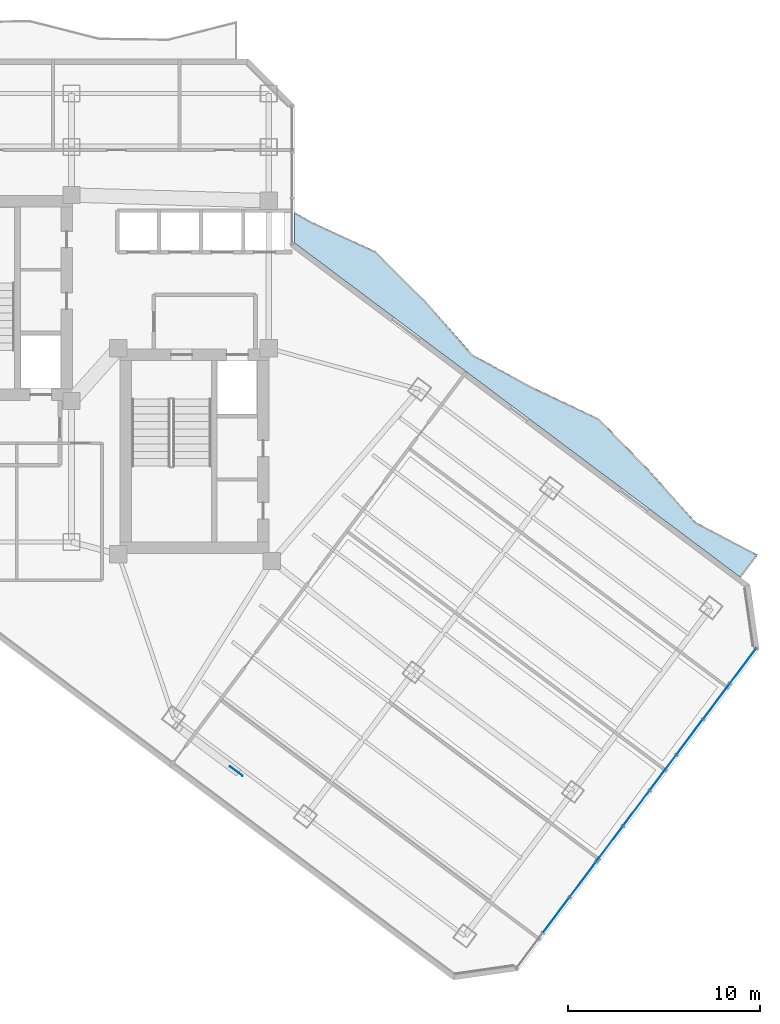
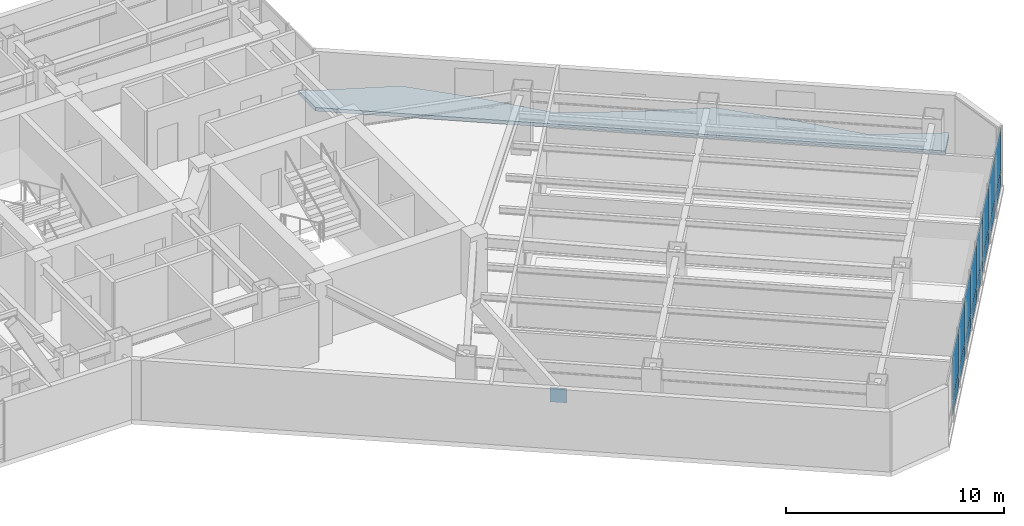
# One storey, part 22 of 31: 17 plates, 1 slab, 1 element without a shape of its own.
"""IFC4 building model written with IfcOpenShell, lengths in metres."""

from ifc_helpers import new_model, si_unit, direction, frame, origin, origin_2d, place, context, subcontext, project, spatial, polyline, rectangle, outline, extrude, material, layer, layer_set, type_object, element, aggregate, save


model = new_model("IFC4")

# Units and contexts
model_context = context("Model", 3, precision=1e-05, world=origin(), true_north=direction((0.0, 1.0)))
body_context = subcontext(model_context, "Body", "Model", "MODEL_VIEW")
ifc_project = project(units=[si_unit("LENGTHUNIT", "METRE"), si_unit("AREAUNIT", "SQUARE_METRE"), si_unit("VOLUMEUNIT", "CUBIC_METRE"), si_unit("PLANEANGLEUNIT", "RADIAN"), si_unit("MASSUNIT", "GRAM", prefix="KILO")], contexts=[model_context])

# Site, building, storey
site_placement = place(None, origin())
site = spatial("IfcSite", under=ifc_project, at=site_placement, CompositionType="ELEMENT")
building_placement = place(site_placement, origin())
building = spatial("IfcBuilding", under=site, at=building_placement, Name="Hatsunagi Terrace Concourse", CompositionType="ELEMENT")
storey_placement = place(building_placement, frame((0.0, 0.0, 122.85009765625)))
storey = spatial("IfcBuildingStorey", under=building, at=storey_placement, Name="L32", CompositionType="ELEMENT", Elevation=122.85009765625)

# Curtain wall, plates
ifc_material_1 = material(Name="Anodised Aluminium Alloy 6063-T5", Category="aluminium")
ifc_layer_1 = layer(ifc_material_1, 0.199951171875)
ifc_layer_set_1 = layer_set([ifc_layer_1], Name="OfficeZone1_CW03")
curtain_wall_type = type_object("IfcCurtainWallType", Name="OfficeZone1_CW03", PredefinedType="NOTDEFINED", material=ifc_layer_set_1)
curtain_wall_placement = place(storey_placement, origin())
curtain_wall = element("IfcCurtainWall", 1, at=curtain_wall_placement, inside=storey, type_object=curtain_wall_type, Name="Unitised Curtain Wall CW-03 CW-L32-03", PredefinedType="NOTDEFINED")
ifc_material_2 = material(Name="Warm Terracotta Ceramic Spandrel Panel", Category="masonry")
ifc_layer_2 = layer(ifc_material_2, 0.031982421875)
ifc_layer_set_2 = layer_set([ifc_layer_2], Name="CurtainWallSpandrelPanel_32")
plate_type_1 = type_object("IfcPlateType", Name="CurtainWallSpandrelPanel_32", PredefinedType="SHEET", material=ifc_layer_set_2)
plate_1_placement = place(storey_placement, frame((68.39697265625, 18.72998046875, 0.02978515625), z_axis=(0.0, 0.0, 1.0), x_axis=(-0.599969314634, -0.800023013105, 0.0)))
plate_1 = element("IfcPlate", 2, at=plate_1_placement, type_object=plate_type_1, Name="Terracotta Spandrel Panel SPN-01", PredefinedType="SHEET", context=body_context, shape_type="SweptSolid", body=[
    extrude(rectangle(XDim=2.264892578125, YDim=0.031982421875, at=origin_2d()), origin(), (0.0, 0.0, 1.0), 0.7900390625),
])
plate_2_placement = place(storey_placement, frame((67.0048828125, 16.873046875, 0.02978515625), z_axis=(0.0, 0.0, 1.0), x_axis=(-0.599969314634, -0.800023013105, 0.0)))
plate_2 = element("IfcPlate", 3, at=plate_2_placement, type_object=plate_type_1, Name="Terracotta Spandrel Panel SPN-01", PredefinedType="SHEET", context=body_context, shape_type="SweptSolid", body=[
    extrude(rectangle(XDim=2.264892578125, YDim=0.031982421875, at=origin_2d()), origin(), (0.0, 0.0, 1.0), 0.7900390625),
])
plate_3_placement = place(storey_placement, frame((65.612060546875, 15.01708984375, 0.02978515625), z_axis=(0.0, 0.0, 1.0), x_axis=(-0.599969314634, -0.800023013105, 0.0)))
plate_3 = element("IfcPlate", 4, at=plate_3_placement, type_object=plate_type_1, Name="Terracotta Spandrel Panel SPN-01", PredefinedType="SHEET", context=body_context, shape_type="SweptSolid", body=[
    extrude(rectangle(XDim=2.264892578125, YDim=0.031982421875, at=origin_2d()), origin(), (0.0, 0.0, 1.0), 0.7900390625),
])
plate_4_placement = place(storey_placement, frame((64.219970703125, 13.159912109375, 0.02978515625), z_axis=(0.0, 0.0, 1.0), x_axis=(-0.599969314634, -0.800023013105, 0.0)))
plate_4 = element("IfcPlate", 5, at=plate_4_placement, type_object=plate_type_1, Name="Terracotta Spandrel Panel SPN-01", PredefinedType="SHEET", context=body_context, shape_type="SweptSolid", body=[
    extrude(rectangle(XDim=2.264892578125, YDim=0.031982421875, at=origin_2d()), origin(), (0.0, 0.0, 1.0), 0.7900390625),
])
plate_5_placement = place(storey_placement, frame((62.827880859375, 11.303955078125, 0.02978515625), z_axis=(0.0, 0.0, 1.0), x_axis=(-0.599969314634, -0.800023013105, 0.0)))
plate_5 = element("IfcPlate", 6, at=plate_5_placement, type_object=plate_type_1, Name="Terracotta Spandrel Panel SPN-01", PredefinedType="SHEET", context=body_context, shape_type="SweptSolid", body=[
    extrude(rectangle(XDim=2.264892578125, YDim=0.031982421875, at=origin_2d()), origin(), (0.0, 0.0, 1.0), 0.7900390625),
])
plate_6_placement = place(storey_placement, frame((61.43603515625, 9.447998046875, 0.02978515625), z_axis=(0.0, 0.0, 1.0), x_axis=(-0.599969314634, -0.800023013105, 0.0)))
plate_6 = element("IfcPlate", 7, at=plate_6_placement, type_object=plate_type_1, Name="Terracotta Spandrel Panel SPN-01", PredefinedType="SHEET", context=body_context, shape_type="SweptSolid", body=[
    extrude(rectangle(XDim=2.264892578125, YDim=0.031982421875, at=origin_2d()), origin(), (0.0, 0.0, 1.0), 0.7900390625),
])
plate_7_placement = place(storey_placement, frame((60.0439453125, 7.591064453125, 0.02978515625), z_axis=(0.0, 0.0, 1.0), x_axis=(-0.599969314634, -0.800023013105, 0.0)))
plate_7 = element("IfcPlate", 8, at=plate_7_placement, type_object=plate_type_1, Name="Terracotta Spandrel Panel SPN-01", PredefinedType="SHEET", context=body_context, shape_type="SweptSolid", body=[
    extrude(rectangle(XDim=2.264892578125, YDim=0.031982421875, at=origin_2d()), origin(), (0.0, 0.0, 1.0), 0.7900390625),
])
plate_8_placement = place(storey_placement, frame((58.65087890625, 5.735107421875, 0.02978515625), z_axis=(0.0, 0.0, 1.0), x_axis=(-0.599969314634, -0.800023013105, 0.0)))
plate_8 = element("IfcPlate", 9, at=plate_8_placement, type_object=plate_type_1, Name="Terracotta Spandrel Panel SPN-01", PredefinedType="SHEET", context=body_context, shape_type="SweptSolid", body=[
    extrude(rectangle(XDim=2.264892578125, YDim=0.031982421875, at=origin_2d()), origin(), (0.0, 0.0, 1.0), 0.7900390625),
])
ifc_material_3 = material(Name="Low-E Double Insulating Glass 28mm", Category="glass")
ifc_layer_3 = layer(ifc_material_3, 0.028076171875)
ifc_layer_set_3 = layer_set([ifc_layer_3], Name="CurtainWallVisionGlass_28")
plate_type_2 = type_object("IfcPlateType", Name="CurtainWallVisionGlass_28", PredefinedType="CURTAIN_PANEL", material=ifc_layer_set_3)
plate_9_placement = place(storey_placement, frame((68.39697265625, 18.72998046875, 0.8798828125), z_axis=(0.0, 0.0, 1.0), x_axis=(-0.599969314634, -0.800023013105, 0.0)))
plate_9 = element("IfcPlate", 10, at=plate_9_placement, type_object=plate_type_2, Name="Low-E Vision Glass Panel GLZ-01", PredefinedType="CURTAIN_PANEL", context=body_context, shape_type="SweptSolid", body=[
    extrude(rectangle(XDim=2.264892578125, YDim=0.028076171875, at=origin_2d()), origin(), (0.0, 0.0, 1.0), 2.43994140625),
])
plate_10_placement = place(storey_placement, frame((67.0048828125, 16.873046875, 0.8798828125), z_axis=(0.0, 0.0, 1.0), x_axis=(-0.599969314634, -0.800023013105, 0.0)))
plate_10 = element("IfcPlate", 11, at=plate_10_placement, type_object=plate_type_2, Name="Low-E Vision Glass Panel GLZ-01", PredefinedType="CURTAIN_PANEL", context=body_context, shape_type="SweptSolid", body=[
    extrude(rectangle(XDim=2.264892578125, YDim=0.028076171875, at=origin_2d()), origin(), (0.0, 0.0, 1.0), 2.43994140625),
])
plate_11_placement = place(storey_placement, frame((65.612060546875, 15.01708984375, 0.8798828125), z_axis=(0.0, 0.0, 1.0), x_axis=(-0.599969314634, -0.800023013105, 0.0)))
plate_11 = element("IfcPlate", 12, at=plate_11_placement, type_object=plate_type_2, Name="Low-E Vision Glass Panel GLZ-01", PredefinedType="CURTAIN_PANEL", context=body_context, shape_type="SweptSolid", body=[
    extrude(rectangle(XDim=2.264892578125, YDim=0.028076171875, at=origin_2d()), origin(), (0.0, 0.0, 1.0), 2.43994140625),
])
plate_12_placement = place(storey_placement, frame((64.219970703125, 13.159912109375, 0.8798828125), z_axis=(0.0, 0.0, 1.0), x_axis=(-0.599969314634, -0.800023013105, 0.0)))
plate_12 = element("IfcPlate", 13, at=plate_12_placement, type_object=plate_type_2, Name="Low-E Vision Glass Panel GLZ-01", PredefinedType="CURTAIN_PANEL", context=body_context, shape_type="SweptSolid", body=[
    extrude(rectangle(XDim=2.264892578125, YDim=0.028076171875, at=origin_2d()), origin(), (0.0, 0.0, 1.0), 2.43994140625),
])
plate_13_placement = place(storey_placement, frame((62.827880859375, 11.303955078125, 0.8798828125), z_axis=(0.0, 0.0, 1.0), x_axis=(-0.599969314634, -0.800023013105, 0.0)))
plate_13 = element("IfcPlate", 14, at=plate_13_placement, type_object=plate_type_2, Name="Low-E Vision Glass Panel GLZ-01", PredefinedType="CURTAIN_PANEL", context=body_context, shape_type="SweptSolid", body=[
    extrude(rectangle(XDim=2.264892578125, YDim=0.028076171875, at=origin_2d()), origin(), (0.0, 0.0, 1.0), 2.43994140625),
])
plate_14_placement = place(storey_placement, frame((61.43603515625, 9.447998046875, 0.8798828125), z_axis=(0.0, 0.0, 1.0), x_axis=(-0.599969314634, -0.800023013105, 0.0)))
plate_14 = element("IfcPlate", 15, at=plate_14_placement, type_object=plate_type_2, Name="Low-E Vision Glass Panel GLZ-01", PredefinedType="CURTAIN_PANEL", context=body_context, shape_type="SweptSolid", body=[
    extrude(rectangle(XDim=2.264892578125, YDim=0.028076171875, at=origin_2d()), origin(), (0.0, 0.0, 1.0), 2.43994140625),
])
plate_15_placement = place(storey_placement, frame((60.0439453125, 7.591064453125, 0.8798828125), z_axis=(0.0, 0.0, 1.0), x_axis=(-0.599969314634, -0.800023013105, 0.0)))
plate_15 = element("IfcPlate", 16, at=plate_15_placement, type_object=plate_type_2, Name="Low-E Vision Glass Panel GLZ-01", PredefinedType="CURTAIN_PANEL", context=body_context, shape_type="SweptSolid", body=[
    extrude(rectangle(XDim=2.264892578125, YDim=0.028076171875, at=origin_2d()), origin(), (0.0, 0.0, 1.0), 2.43994140625),
])
plate_16_placement = place(storey_placement, frame((58.65087890625, 5.735107421875, 0.8798828125), z_axis=(0.0, 0.0, 1.0), x_axis=(-0.599969314634, -0.800023013105, 0.0)))
plate_16 = element("IfcPlate", 17, at=plate_16_placement, type_object=plate_type_2, Name="Low-E Vision Glass Panel GLZ-01", PredefinedType="CURTAIN_PANEL", context=body_context, shape_type="SweptSolid", body=[
    extrude(rectangle(XDim=2.264892578125, YDim=0.028076171875, at=origin_2d()), origin(), (0.0, 0.0, 1.0), 2.43994140625),
])
aggregate(curtain_wall, [plate_1, plate_9, plate_2, plate_10, plate_3, plate_11, plate_4, plate_12, plate_5, plate_13, plate_6, plate_14, plate_7, plate_15, plate_8, plate_16])

# Slab
ifc_material_4 = material(Name="Concrete Fc42", Category="concrete")
ifc_layer_4 = layer(ifc_material_4, 0.199951171875)
ifc_layer_set_4 = layer_set([ifc_layer_4], Name="EngawaBalconySlab_Fc42_200")
slab_type = type_object("IfcSlabType", Name="EngawaBalconySlab_Fc42_200", PredefinedType="FLOOR", material=ifc_layer_set_4)
slab_placement = place(storey_placement, frame((0.0, 0.0, -0.2001953125)))
element("IfcSlab", 18, at=slab_placement, inside=storey, type_object=slab_type, Name="Engawa Balcony Slab BAL-L32-BSE", PredefinedType="FLOOR", context=body_context, shape_type="SweptSolid", body=[
    extrude(outline(polyline([(45.8740234375, 41.909912109375), (44.99609375, 42.39892578125), (44.99609375, 40.802978515625), (68.280029296875, 23.340087890625), (69.173095703125, 24.530029296875), (65.916015625, 26.242919921875), (63.445068359375, 29.0048828125), (60.8759765625, 31.635009765625), (57.52294921875, 33.219970703125), (54.2919921875, 34.967041015625), (51.841064453125, 37.7548828125), (49.24609375, 40.35009765625), (45.8740234375, 41.909912109375)])), origin(), (0.0, 0.0, 1.0), 0.2001953125),
])

# Plate
ifc_material_5 = material(Name="Steel SN490C", Category="steel")
ifc_layer_5 = layer(ifc_material_5, 0.031982421875)
ifc_layer_set_5 = layer_set([ifc_layer_5], Name="XBraceNodeCapPlate_32")
plate_type_3 = type_object("IfcPlateType", Name="XBraceNodeCapPlate_32", PredefinedType="USERDEFINED", material=ifc_layer_set_5)
plate_17_placement = place(storey_placement, frame((41.951904296875, 13.236083984375, 1.27490234375), z_axis=(0.0, 0.0, 1.0), x_axis=(0.799999996291, -0.600000004945, 0.0)))
element("IfcPlate", 19, at=plate_17_placement, inside=storey, type_object=plate_type_3, Name="X-Brace Crossing Gusset Node Plate GP-02 XB-L31-SE", ObjectType="GUSSET_PLATE", PredefinedType="USERDEFINED", context=body_context, shape_type="SweptSolid", body=[
    extrude(rectangle(XDim=0.800048828125, YDim=0.031982421875, at=origin_2d()), origin(), (0.0, 0.0, 1.0), 0.800048828125),
])

save(model, "model.ifc")
